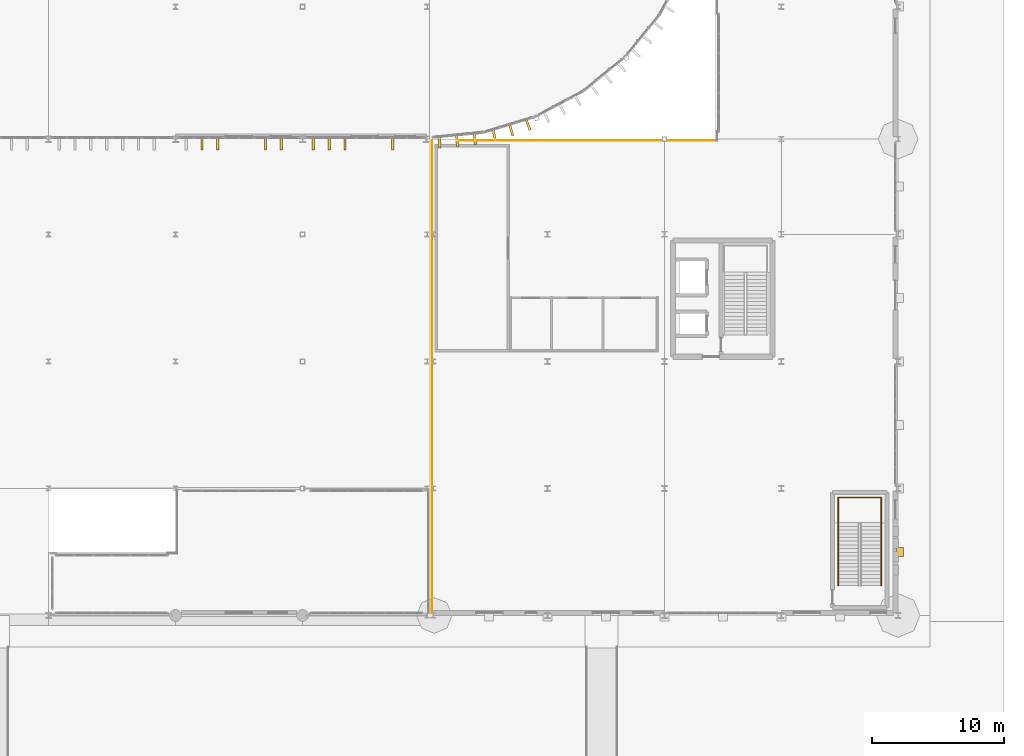
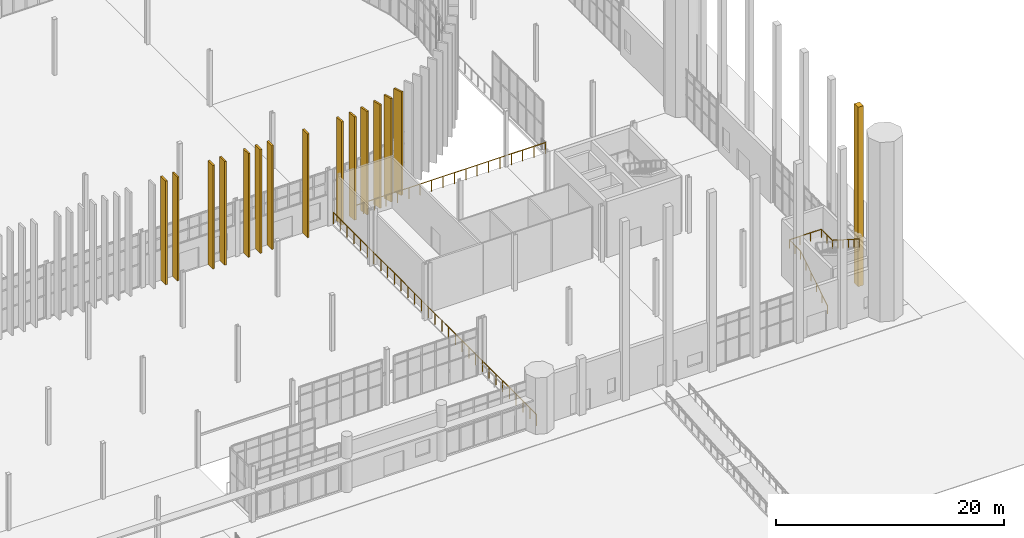
# One storey, part 128 of 139: 15 coverings, 3 railings.
"""IFC4 building model written with IfcOpenShell, lengths in metres."""

from ifc_helpers import new_model, si_unit, direction, frame, origin, origin_2d, place, context, subcontext, project, spatial, polyline, rectangle, circle, outline, extrude, material, layer, layer_set, type_object, element, save


model = new_model("IFC4")

# Units and contexts
model_context = context("Model", 3, precision=1e-05, world=origin(), true_north=direction((0.0, 1.0)))
body_context = subcontext(model_context, "Body", "Model", "MODEL_VIEW")
ifc_project = project(units=[si_unit("LENGTHUNIT", "METRE"), si_unit("AREAUNIT", "SQUARE_METRE"), si_unit("VOLUMEUNIT", "CUBIC_METRE"), si_unit("PLANEANGLEUNIT", "RADIAN"), si_unit("MASSUNIT", "GRAM", prefix="KILO")], contexts=[model_context])

# Site, building, storey
site_placement = place(None, origin())
site = spatial("IfcSite", under=ifc_project, at=site_placement, CompositionType="ELEMENT")
building_placement = place(site_placement, origin())
building = spatial("IfcBuilding", under=site, at=building_placement, Name="Yeouljin Market Hall", CompositionType="ELEMENT")
storey_placement = place(building_placement, origin())
storey = spatial("IfcBuildingStorey", under=building, at=storey_placement, Name="L00", CompositionType="ELEMENT", Elevation=0.0)

# Coverings
ifc_material_1 = material(Name="Clinker Brick Masonry F2-S2", Category="masonry")
ifc_layer_1 = layer(ifc_material_1, 0.5400390625)
ifc_layer_set_1 = layer_set([ifc_layer_1], Name="Clinker Brick Masonry F2-S2")
covering_type_1 = type_object("IfcCoveringType", Name="Covering_Clinker_PleatedPier", PredefinedType="CLADDING", material=ifc_layer_set_1)
covering_placement = place(storey_placement, origin())
element("IfcCovering", 1, at=covering_placement, inside=storey, type_object=covering_type_1, Name="Pleated clinker-brick east facade pier E-022", PredefinedType="CLADDING", context=body_context, shape_type="SweptSolid", body=[
    extrude(outline(polyline([(176.280029296875, 4.4599609375), (176.820068359375, 4.4599609375), (176.820068359375, 5.139892578125), (176.280029296875, 5.139892578125), (176.280029296875, 4.4599609375)])), origin(), (0.0, 0.0, 1.0), 19.25),
])
ifc_material_2 = material(Name="White Limestone and Bronze Solar Fin", Category="masonry")
ifc_layer_2 = layer(ifc_material_2, 0.179931640625)
ifc_layer_set_2 = layer_set([ifc_layer_2], Name="White Limestone and Bronze Solar Fin")
covering_type_2 = type_object("IfcCoveringType", Name="Covering_Limestone_SolarFin", PredefinedType="CLADDING", material=ifc_layer_set_2)
for number, where, z_axis, x_axis, name in (
    (2, (123.800048828125, 35.60009765625, 0.0), (0.0, 0.0, 1.0), (1.0, 0.0, 0.0), "Hall south vertical lantern fin 069"),
    (3, (125.0, 35.60009765625, 0.0), (0.0, 0.0, 1.0), (1.0, 0.0, 0.0), "Hall south vertical lantern fin 070"),
    (4, (128.60009765625, 35.60009765625, 0.0), (0.0, 0.0, 1.0), (1.0, 0.0, 0.0), "Hall south vertical lantern fin 071"),
    (5, (129.800048828125, 35.60009765625, 0.0), (0.0, 0.0, 1.0), (1.0, 0.0, 0.0), "Hall south vertical lantern fin 072"),
    (6, (132.199951171875, 35.60009765625, 0.0), (0.0, 0.0, 1.0), (1.0, 0.0, 0.0), "Hall south vertical lantern fin 080"),
    (7, (133.39990234375, 35.60009765625, 0.0), (0.0, 0.0, 1.0), (1.0, 0.0, 0.0), "Hall south vertical lantern fin 081"),
    (8, (134.60009765625, 35.60009765625, 0.0), (0.0, 0.0, 1.0), (1.0, 0.0, 0.0), "Hall south vertical lantern fin 082"),
    (9, (138.199951171875, 35.60009765625, 0.0), (0.0, 0.0, 1.0), (1.0, 0.0, 0.0), "Hall south vertical lantern fin 083"),
):
    element("IfcCovering", number, at=place(storey_placement, frame(where, z_axis=z_axis, x_axis=x_axis)), inside=storey, type_object=covering_type_2, Name=name, PredefinedType="CLADDING", context=body_context, shape_type="SweptSolid", body=[
        extrude(rectangle(XDim=0.179931640625, YDim=0.8798828125, at=origin_2d()), origin(), (0.0, 0.0, 1.0), 11.1201171875),
    ])
for number, where, z_axis, x_axis, name in (
    (10, (141.751220703125, 35.75341796875, 0.0), (0.0, 0.0, 1.0), (0.035422771708, -0.999372416692, 0.0), "Apse radial vertical lantern fin east 138"),
    (11, (143.083740234375, 35.84228515625, 0.0), (0.0, 0.0, 1.0), (0.097930293706, -0.995193276492, 0.0), "Apse radial vertical lantern fin east 139"),
    (12, (144.408203125, 36.014892578125, 0.0), (0.0, 0.0, 1.0), (0.160225753504, -0.987080395872, 0.0), "Apse radial vertical lantern fin east 140"),
    (13, (145.8818359375, 36.30810546875, 0.0), (0.0, 0.0, 1.0), (0.229710019669, -0.973259115993, 0.0), "Apse radial vertical lantern fin east 141"),
    (14, (147.17138671875, 36.655517578125, 0.0), (0.0, 0.0, 1.0), (0.290368184947, -0.956914999972, 0.0), "Apse radial vertical lantern fin east 142"),
    (15, (148.436767578125, 37.0830078125, 0.0), (0.0, 0.0, 1.0), (0.349716892865, -0.936855428999, 0.0), "Apse radial vertical lantern fin east 143"),
):
    element("IfcCovering", number, at=place(storey_placement, frame(where, z_axis=z_axis, x_axis=x_axis)), inside=storey, type_object=covering_type_2, Name=name, PredefinedType="CLADDING", context=body_context, shape_type="SweptSolid", body=[
        extrude(rectangle(XDim=0.8798828125, YDim=0.179931640625, at=origin_2d()), origin(), (0.0, 0.0, 1.0), 11.10009765625),
    ])

# Railings
ifc_material_3 = material(Name="Wrought Iron and Bronze Gallery Balustrade")
railing_type_1 = type_object("IfcRailingType", Name="Railing_AtriumBalustrade_1200", PredefinedType="BALUSTRADE", material=ifc_material_3)
railing_1_placement = place(storey_placement, frame((141.179931640625, 0.199951171875, 0.0)))
element("IfcRailing", 16, at=railing_1_placement, inside=storey, type_object=railing_type_1, Name="Gallery & deck edge balustrade L00-009", PredefinedType="BALUSTRADE", context=body_context, shape_type="SweptSolid", body=[
    extrude(circle(Radius=0.02392578125, at=origin_2d()), frame((0.0, 0.0, 1.17578125), z_axis=(0.0, 1.0, 0.0), x_axis=(-1.0, 0.0, 0.0)), (0.0, 0.0, 1.0), 35.699951171875),
    extrude(circle(Radius=0.02099609375, at=origin_2d()), origin(), (0.0, 0.0, 1.0), 1.15185546875),
    extrude(circle(Radius=0.02099609375, at=origin_2d()), frame((0.0, 1.18994140625, 0.0)), (0.0, 0.0, 1.0), 1.15185546875),
    extrude(circle(Radius=0.02099609375, at=origin_2d()), frame((0.0, 2.3798828125, 0.0)), (0.0, 0.0, 1.0), 1.15185546875),
    extrude(circle(Radius=0.02099609375, at=origin_2d()), frame((0.0, 3.570068359375, 0.0)), (0.0, 0.0, 1.0), 1.15185546875),
    extrude(circle(Radius=0.02099609375, at=origin_2d()), frame((0.0, 4.760009765625, 0.0)), (0.0, 0.0, 1.0), 1.15185546875),
    extrude(circle(Radius=0.02099609375, at=origin_2d()), frame((0.0, 5.949951171875, 0.0)), (0.0, 0.0, 1.0), 1.15185546875),
    extrude(circle(Radius=0.02099609375, at=origin_2d()), frame((0.0, 7.139892578125, 0.0)), (0.0, 0.0, 1.0), 1.15185546875),
    extrude(circle(Radius=0.02099609375, at=origin_2d()), frame((0.0, 8.330078125, 0.0)), (0.0, 0.0, 1.0), 1.15185546875),
    extrude(circle(Radius=0.02099609375, at=origin_2d()), frame((0.0, 9.52001953125, 0.0)), (0.0, 0.0, 1.0), 1.15185546875),
    extrude(circle(Radius=0.02099609375, at=origin_2d()), frame((0.0, 10.7099609375, 0.0)), (0.0, 0.0, 1.0), 1.15185546875),
    extrude(circle(Radius=0.02099609375, at=origin_2d()), frame((0.0, 11.89990234375, 0.0)), (0.0, 0.0, 1.0), 1.15185546875),
    extrude(circle(Radius=0.02099609375, at=origin_2d()), frame((0.0, 13.090087890625, 0.0)), (0.0, 0.0, 1.0), 1.15185546875),
    extrude(circle(Radius=0.02099609375, at=origin_2d()), frame((0.0, 14.280029296875, 0.0)), (0.0, 0.0, 1.0), 1.15185546875),
    extrude(circle(Radius=0.02099609375, at=origin_2d()), frame((0.0, 15.469970703125, 0.0)), (0.0, 0.0, 1.0), 1.15185546875),
    extrude(circle(Radius=0.02099609375, at=origin_2d()), frame((0.0, 16.659912109375, 0.0)), (0.0, 0.0, 1.0), 1.15185546875),
    extrude(circle(Radius=0.02099609375, at=origin_2d()), frame((0.0, 17.85009765625, 0.0)), (0.0, 0.0, 1.0), 1.15185546875),
    extrude(circle(Radius=0.02099609375, at=origin_2d()), frame((0.0, 19.0400390625, 0.0)), (0.0, 0.0, 1.0), 1.15185546875),
    extrude(circle(Radius=0.02099609375, at=origin_2d()), frame((0.0, 20.22998046875, 0.0)), (0.0, 0.0, 1.0), 1.15185546875),
    extrude(circle(Radius=0.02099609375, at=origin_2d()), frame((0.0, 21.419921875, 0.0)), (0.0, 0.0, 1.0), 1.15185546875),
    extrude(circle(Radius=0.02099609375, at=origin_2d()), frame((0.0, 22.60986328125, 0.0)), (0.0, 0.0, 1.0), 1.15185546875),
    extrude(circle(Radius=0.02099609375, at=origin_2d()), frame((0.0, 23.800048828125, 0.0)), (0.0, 0.0, 1.0), 1.15185546875),
    extrude(circle(Radius=0.02099609375, at=origin_2d()), frame((0.0, 24.989990234375, 0.0)), (0.0, 0.0, 1.0), 1.15185546875),
    extrude(circle(Radius=0.02099609375, at=origin_2d()), frame((0.0, 26.179931640625, 0.0)), (0.0, 0.0, 1.0), 1.15185546875),
    extrude(circle(Radius=0.02099609375, at=origin_2d()), frame((0.0, 27.369873046875, 0.0)), (0.0, 0.0, 1.0), 1.15185546875),
    extrude(circle(Radius=0.02099609375, at=origin_2d()), frame((0.0, 28.56005859375, 0.0)), (0.0, 0.0, 1.0), 1.15185546875),
    extrude(circle(Radius=0.02099609375, at=origin_2d()), frame((0.0, 29.75, 0.0)), (0.0, 0.0, 1.0), 1.15185546875),
    extrude(circle(Radius=0.02099609375, at=origin_2d()), frame((0.0, 30.93994140625, 0.0)), (0.0, 0.0, 1.0), 1.15185546875),
    extrude(circle(Radius=0.02099609375, at=origin_2d()), frame((0.0, 32.1298828125, 0.0)), (0.0, 0.0, 1.0), 1.15185546875),
    extrude(circle(Radius=0.02099609375, at=origin_2d()), frame((0.0, 33.320068359375, 0.0)), (0.0, 0.0, 1.0), 1.15185546875),
    extrude(circle(Radius=0.02099609375, at=origin_2d()), frame((0.0, 34.510009765625, 0.0)), (0.0, 0.0, 1.0), 1.15185546875),
    extrude(circle(Radius=0.02099609375, at=origin_2d()), frame((0.0, 35.699951171875, 0.0)), (0.0, 0.0, 1.0), 1.15185546875),
])
railing_2_placement = place(storey_placement, frame((143.051513671875, 35.89990234375, 0.0)))
element("IfcRailing", 17, at=railing_2_placement, inside=storey, type_object=railing_type_1, Name="Gallery & deck edge balustrade L00-010", PredefinedType="BALUSTRADE", context=body_context, shape_type="SweptSolid", body=[
    extrude(circle(Radius=0.02392578125, at=origin_2d()), frame((0.0, 0.0, 1.17578125), z_axis=(1.0, 0.0, 0.0), x_axis=(0.0, 1.0, 0.0)), (0.0, 0.0, 1.0), 19.6484375),
    extrude(circle(Radius=0.02099609375, at=origin_2d()), origin(), (0.0, 0.0, 1.0), 1.15185546875),
    extrude(circle(Radius=0.02099609375, at=origin_2d()), frame((1.15576171875, 0.0, 0.0)), (0.0, 0.0, 1.0), 1.15185546875),
    extrude(circle(Radius=0.02099609375, at=origin_2d()), frame((2.3115234375, 0.0, 0.0)), (0.0, 0.0, 1.0), 1.15185546875),
    extrude(circle(Radius=0.02099609375, at=origin_2d()), frame((3.46728515625, 0.0, 0.0)), (0.0, 0.0, 1.0), 1.15185546875),
    extrude(circle(Radius=0.02099609375, at=origin_2d()), frame((4.623046875, 0.0, 0.0)), (0.0, 0.0, 1.0), 1.15185546875),
    extrude(circle(Radius=0.02099609375, at=origin_2d()), frame((5.779052734375, 0.0, 0.0)), (0.0, 0.0, 1.0), 1.15185546875),
    extrude(circle(Radius=0.02099609375, at=origin_2d()), frame((6.934814453125, 0.0, 0.0)), (0.0, 0.0, 1.0), 1.15185546875),
    extrude(circle(Radius=0.02099609375, at=origin_2d()), frame((8.090576171875, 0.0, 0.0)), (0.0, 0.0, 1.0), 1.15185546875),
    extrude(circle(Radius=0.02099609375, at=origin_2d()), frame((9.246337890625, 0.0, 0.0)), (0.0, 0.0, 1.0), 1.15185546875),
    extrude(circle(Radius=0.02099609375, at=origin_2d()), frame((10.402099609375, 0.0, 0.0)), (0.0, 0.0, 1.0), 1.15185546875),
    extrude(circle(Radius=0.02099609375, at=origin_2d()), frame((11.557861328125, 0.0, 0.0)), (0.0, 0.0, 1.0), 1.15185546875),
    extrude(circle(Radius=0.02099609375, at=origin_2d()), frame((12.713623046875, 0.0, 0.0)), (0.0, 0.0, 1.0), 1.15185546875),
    extrude(circle(Radius=0.02099609375, at=origin_2d()), frame((13.869384765625, 0.0, 0.0)), (0.0, 0.0, 1.0), 1.15185546875),
    extrude(circle(Radius=0.02099609375, at=origin_2d()), frame((15.025390625, 0.0, 0.0)), (0.0, 0.0, 1.0), 1.15185546875),
    extrude(circle(Radius=0.02099609375, at=origin_2d()), frame((16.18115234375, 0.0, 0.0)), (0.0, 0.0, 1.0), 1.15185546875),
    extrude(circle(Radius=0.02099609375, at=origin_2d()), frame((17.3369140625, 0.0, 0.0)), (0.0, 0.0, 1.0), 1.15185546875),
    extrude(circle(Radius=0.02099609375, at=origin_2d()), frame((18.49267578125, 0.0, 0.0)), (0.0, 0.0, 1.0), 1.15185546875),
    extrude(circle(Radius=0.02099609375, at=origin_2d()), frame((19.6484375, 0.0, 0.0)), (0.0, 0.0, 1.0), 1.15185546875),
])
ifc_material_4 = material(Name="Brushed Stainless Steel", Category="steel")
railing_type_2 = type_object("IfcRailingType", Name="Railing_StairHandrail_900", PredefinedType="HANDRAIL", material=ifc_material_4)
railing_3_placement = place(storey_placement, frame((171.8798828125, 2.25, 0.0)))
element("IfcRailing", 18, at=railing_3_placement, inside=storey, type_object=railing_type_2, Name="Stair ST-S8-L00 wall handrail", PredefinedType="HANDRAIL", context=body_context, shape_type="SweptSolid", body=[
    extrude(circle(Radius=0.02392578125, at=origin_2d()), frame((0.0, 0.0, 0.8759765625), z_axis=(0.0, 0.84395435455, 0.536414995537), x_axis=(-1.0, 0.0, 0.0)), (0.0, 0.0, 1.0), 5.5927734375),
    extrude(circle(Radius=0.02392578125, at=origin_2d()), frame((0.0, 4.719970703125, 3.8759765625), z_axis=(0.0, 1.0, 0.0), x_axis=(-1.0, 0.0, 0.0)), (0.0, 0.0, 1.0), 1.949951171875),
    extrude(circle(Radius=0.02392578125, at=origin_2d()), frame((0.0, 6.669921875, 3.8759765625), z_axis=(1.0, 0.0, 0.0), x_axis=(0.0, 1.0, 0.0)), (0.0, 0.0, 1.0), 3.240234375),
    extrude(circle(Radius=0.02392578125, at=origin_2d()), frame((3.240234375, 6.669921875, 3.8759765625), z_axis=(0.0, -1.0, 0.0), x_axis=(1.0, 0.0, 0.0)), (0.0, 0.0, 1.0), 1.949951171875),
    extrude(circle(Radius=0.02392578125, at=origin_2d()), frame((3.240234375, 4.719970703125, 3.8759765625), z_axis=(0.0, -0.84395435455, 0.536414995537), x_axis=(1.0, 0.0, 0.0)), (0.0, 0.0, 1.0), 5.5927734375),
    extrude(circle(Radius=0.02099609375, at=origin_2d()), origin(), (0.0, 0.0, 1.0), 0.851806640625),
    extrude(circle(Radius=0.02099609375, at=origin_2d()), frame((0.0, 0.944091796875, 0.60009765625)), (0.0, 0.0, 1.0), 0.851806640625),
    extrude(circle(Radius=0.02099609375, at=origin_2d()), frame((0.0, 1.887939453125, 1.199951171875)), (0.0, 0.0, 1.0), 0.851806640625),
    extrude(circle(Radius=0.02099609375, at=origin_2d()), frame((0.0, 2.83203125, 1.800048828125)), (0.0, 0.0, 1.0), 0.851806640625),
    extrude(circle(Radius=0.02099609375, at=origin_2d()), frame((0.0, 3.77587890625, 2.39990234375)), (0.0, 0.0, 1.0), 0.851806640625),
    extrude(circle(Radius=0.02099609375, at=origin_2d()), frame((0.0, 4.719970703125, 3.0)), (0.0, 0.0, 1.0), 0.851806640625),
    extrude(circle(Radius=0.02099609375, at=origin_2d()), frame((0.0, 5.69482421875, 3.0)), (0.0, 0.0, 1.0), 0.851806640625),
    extrude(circle(Radius=0.02099609375, at=origin_2d()), frame((0.0, 6.669921875, 3.0)), (0.0, 0.0, 1.0), 0.851806640625),
    extrude(circle(Radius=0.02099609375, at=origin_2d()), frame((1.080078125, 6.669921875, 3.0)), (0.0, 0.0, 1.0), 0.851806640625),
    extrude(circle(Radius=0.02099609375, at=origin_2d()), frame((2.16015625, 6.669921875, 3.0)), (0.0, 0.0, 1.0), 0.851806640625),
    extrude(circle(Radius=0.02099609375, at=origin_2d()), frame((3.240234375, 6.669921875, 3.0)), (0.0, 0.0, 1.0), 0.851806640625),
    extrude(circle(Radius=0.02099609375, at=origin_2d()), frame((3.240234375, 5.69482421875, 3.0)), (0.0, 0.0, 1.0), 0.851806640625),
    extrude(circle(Radius=0.02099609375, at=origin_2d()), frame((3.240234375, 4.719970703125, 3.0)), (0.0, 0.0, 1.0), 0.851806640625),
    extrude(circle(Radius=0.02099609375, at=origin_2d()), frame((3.240234375, 3.77587890625, 3.60009765625)), (0.0, 0.0, 1.0), 0.851806640625),
    extrude(circle(Radius=0.02099609375, at=origin_2d()), frame((3.240234375, 2.83203125, 4.199951171875)), (0.0, 0.0, 1.0), 0.851806640625),
    extrude(circle(Radius=0.02099609375, at=origin_2d()), frame((3.240234375, 1.887939453125, 4.800048828125)), (0.0, 0.0, 1.0), 0.851806640625),
    extrude(circle(Radius=0.02099609375, at=origin_2d()), frame((3.240234375, 0.944091796875, 5.39990234375)), (0.0, 0.0, 1.0), 0.851806640625),
    extrude(circle(Radius=0.02099609375, at=origin_2d()), frame((3.240234375, 0.0, 6.0)), (0.0, 0.0, 1.0), 0.851806640625),
])

save(model, "model.ifc")
